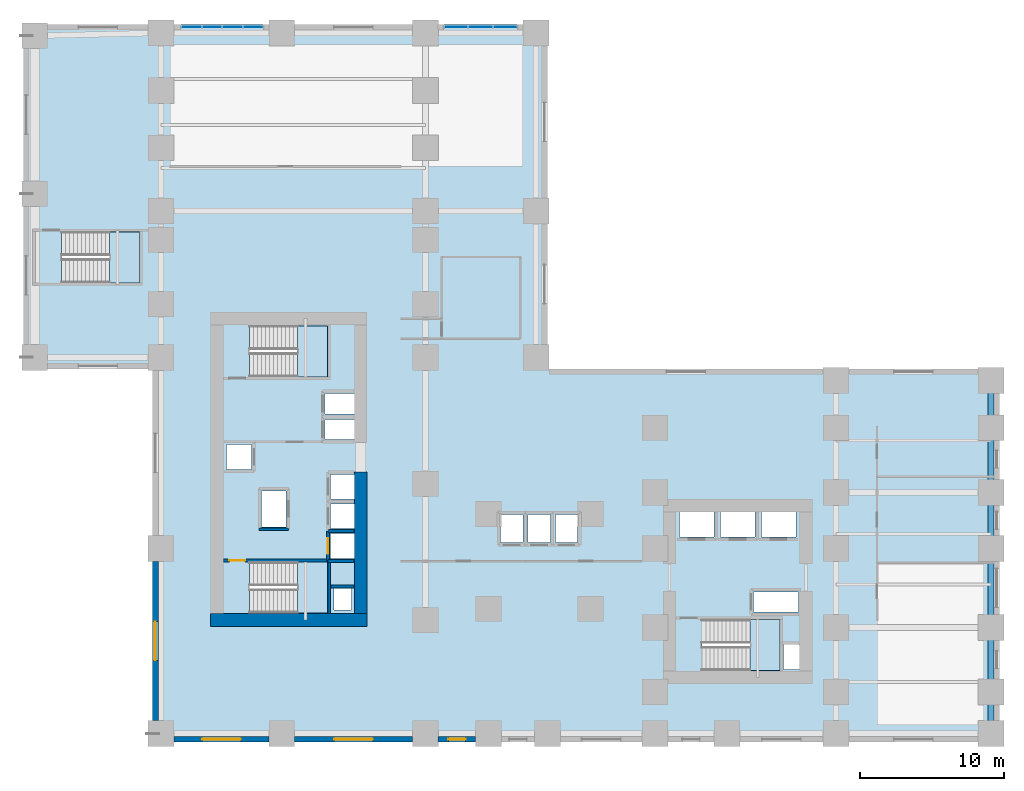
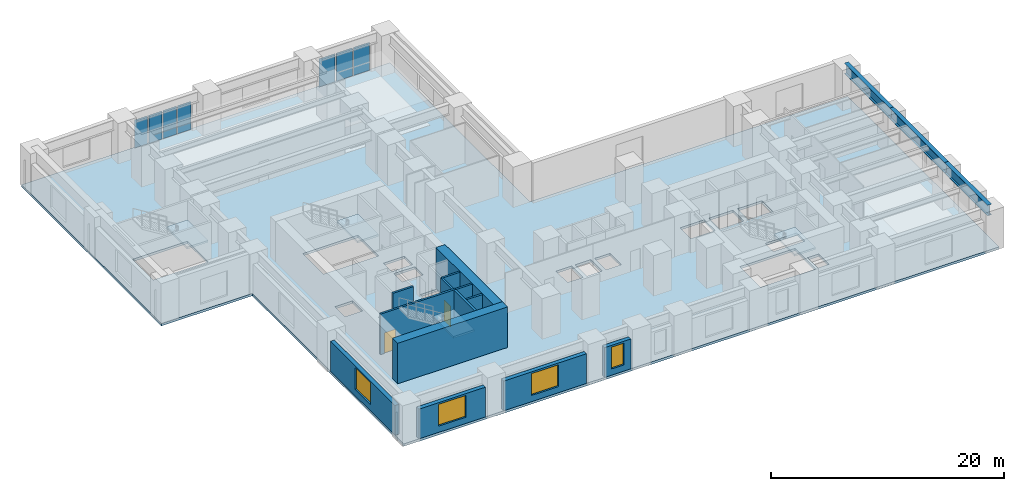
# One storey, part 4 of 11: 13 walls, 7 plates, 5 slabs, 4 windows, 3 beams, 2 doors, 6 openings, 6 elements without a shape of their own.
"""IFC4 building model written with IfcOpenShell, lengths in metres."""

from ifc_helpers import new_model, si_unit, direction, frame, frame_2d, origin, origin_2d, place, context, subcontext, project, spatial, polyline, rectangle, i_section, outline, extrude, source, transform, mapped, material, layer, layer_set, material_profile, profile_set, type_object, element, fill, aggregate, save


model = new_model("IFC4")

# Units and contexts
model_context = context("Model", 3, precision=1e-05, world=origin(), true_north=direction((0.0, 1.0)))
body_context = subcontext(model_context, "Body", "Model", "MODEL_VIEW")
ifc_project = project(units=[si_unit("LENGTHUNIT", "METRE"), si_unit("AREAUNIT", "SQUARE_METRE"), si_unit("VOLUMEUNIT", "CUBIC_METRE"), si_unit("PLANEANGLEUNIT", "RADIAN"), si_unit("MASSUNIT", "GRAM", prefix="KILO")], contexts=[model_context])

# Site, building, storey
site_placement = place(None, origin())
site = spatial("IfcSite", under=ifc_project, at=site_placement, CompositionType="ELEMENT")
building_placement = place(site_placement, origin())
building = spatial("IfcBuilding", under=site, at=building_placement, Name="Kharzan Plaza Tower", CompositionType="ELEMENT")
storey_placement = place(building_placement, frame((0.0, 0.0, 9.0)))
storey = spatial("IfcBuildingStorey", under=building, at=storey_placement, Name="L02", CompositionType="ELEMENT", Elevation=9.0)

# Beams
ifc_material_1 = material(Name="Steel S355", Category="steel")
ifc_material_profile = material_profile(ifc_material_1, i_section(OverallWidth=0.405029296875, OverallDepth=1.117919921875, WebThickness=0.02587890625, FlangeThickness=0.044921875, at=origin_2d()), Name="W1100x499")
ifc_profile_set = profile_set([ifc_material_profile], Name="Steel S355")
beam_type = type_object("IfcBeamType", Name="BM-PG1100A", PredefinedType="BEAM", material=ifc_profile_set)
shared_shape_1 = source(origin(), body_context, "Body", "SweptSolid", [
    extrude(i_section(OverallWidth=0.405029296875, OverallDepth=1.117919921875, WebThickness=0.02587890625, FlangeThickness=0.044921875, at=origin_2d()), origin(), (0.0, 0.0, 1.0), 7.39990234375),
])
beam_1_placement = place(storey_placement, frame((58.39990234375, 0.60009765625, 3.69091796875), z_axis=(0.0, 1.0, 0.0), x_axis=(-1.0, 0.0, 0.0)))
element("IfcBeam", 1, at=beam_1_placement, inside=storey, type_object=beam_type, Name="L02 Podium Primary Girder PG-25", PredefinedType="BEAM", context=body_context, shape_type="MappedRepresentation", body=[
    mapped(shared_shape_1, transform((0.0, 0.0, 0.0), x_axis=(1.0, 0.0, 0.0), y_axis=(0.0, 1.0, 0.0), z_axis=(0.0, 0.0, 1.0))),
])
shared_shape_2 = source(origin(), body_context, "Body", "SweptSolid", [
    extrude(i_section(OverallWidth=0.405029296875, OverallDepth=1.117919921875, WebThickness=0.02587890625, FlangeThickness=0.044921875, at=origin_2d()), origin(), (0.0, 0.0, 1.0), 9.39990234375),
])
beam_2_placement = place(storey_placement, frame((58.39990234375, 8.0, 3.69091796875), z_axis=(0.0, 1.0, 0.0), x_axis=(-1.0, 0.0, 0.0)))
element("IfcBeam", 2, at=beam_2_placement, inside=storey, type_object=beam_type, Name="L02 Podium Primary Girder PG-26", PredefinedType="BEAM", context=body_context, shape_type="MappedRepresentation", body=[
    mapped(shared_shape_2, transform((0.0, 0.0, 0.0), x_axis=(1.0, 0.0, 0.0), y_axis=(0.0, 1.0, 0.0), z_axis=(0.0, 0.0, 1.0))),
])
shared_shape_3 = source(origin(), body_context, "Body", "SweptSolid", [
    extrude(i_section(OverallWidth=0.405029296875, OverallDepth=1.117919921875, WebThickness=0.02587890625, FlangeThickness=0.044921875, at=origin_2d()), origin(), (0.0, 0.0, 1.0), 7.800048828125),
])
beam_3_placement = place(storey_placement, frame((58.39990234375, 17.39990234375, 3.69091796875), z_axis=(0.0, 1.0, 0.0), x_axis=(-1.0, 0.0, 0.0)))
element("IfcBeam", 3, at=beam_3_placement, inside=storey, type_object=beam_type, Name="L02 Podium Primary Girder PG-27", PredefinedType="BEAM", context=body_context, shape_type="MappedRepresentation", body=[
    mapped(shared_shape_3, transform((0.0, 0.0, 0.0), x_axis=(1.0, 0.0, 0.0), y_axis=(0.0, 1.0, 0.0), z_axis=(0.0, 0.0, 1.0))),
])

# Slab
ifc_material_2 = material(Name="Concrete C40/50", Category="concrete")
ifc_layer_1 = layer(ifc_material_2, 0.25)
ifc_layer_set_1 = layer_set([ifc_layer_1], Name="Concrete C40/50")
slab_type_1 = type_object("IfcSlabType", Name="SL-FLOOR-250", PredefinedType="FLOOR", material=ifc_layer_set_1)
slab_1_placement = place(storey_placement, frame((0.0, 0.0, -0.25)))
element("IfcSlab", 4, at=slab_1_placement, inside=storey, type_object=slab_type_1, Name="L02 Composite Structural Floor Slab 250 mm", PredefinedType="FLOOR", context=body_context, shape_type="SweptSolid", body=[
    extrude(outline(polyline([(59.0, 0.0), (59.0, 26.0), (27.5, 26.0), (27.5, 50.0), (-9.0, 50.0), (-9.0, 26.0), (0.0, 26.0), (0.0, 0.0), (59.0, 0.0)]), holes=[polyline([(12.199951171875, 9.0), (12.199951171875, 12.550048828125), (6.75, 12.550048828125), (6.75, 9.0), (12.199951171875, 9.0)]), polyline([(14.10009765625, 12.800048828125), (14.10009765625, 14.530029296875), (12.39990234375, 14.530029296875), (12.39990234375, 12.800048828125), (14.10009765625, 12.800048828125)]), polyline([(14.10009765625, 14.8701171875), (14.10009765625, 16.60009765625), (12.39990234375, 16.60009765625), (12.39990234375, 14.8701171875), (14.10009765625, 14.8701171875)]), polyline([(7.60009765625, 15.0), (9.300048828125, 15.0), (9.300048828125, 17.5), (7.60009765625, 17.5), (7.60009765625, 15.0)]), polyline([(12.39990234375, 16.93994140625), (14.10009765625, 16.93994140625), (14.10009765625, 18.64990234375), (12.39990234375, 18.64990234375), (12.39990234375, 16.93994140625)]), polyline([(6.89990234375, 19.010009765625), (6.89990234375, 20.72998046875), (5.14990234375, 20.72998046875), (5.14990234375, 19.010009765625), (6.89990234375, 19.010009765625)]), polyline([(14.10009765625, 21.070068359375), (14.10009765625, 22.489990234375), (12.0, 22.489990234375), (12.0, 21.070068359375), (14.10009765625, 21.070068359375)]), polyline([(14.10009765625, 22.8701171875), (14.10009765625, 24.2900390625), (12.0, 24.2900390625), (12.0, 22.8701171875), (14.10009765625, 22.8701171875)]), polyline([(6.75, 25.449951171875), (12.199951171875, 25.449951171875), (12.199951171875, 29.0), (6.75, 29.0), (6.75, 25.449951171875)]), polyline([(-6.35009765625, 32.0), (-0.89990234375, 32.0), (-0.89990234375, 35.550048828125), (-6.35009765625, 35.550048828125), (-6.35009765625, 32.0)]), polyline([(45.050048828125, 5.050048828125), (45.050048828125, 6.800048828125), (43.949951171875, 6.800048828125), (43.949951171875, 5.050048828125), (45.050048828125, 5.050048828125)]), polyline([(43.699951171875, 5.0), (43.699951171875, 8.550048828125), (38.25, 8.550048828125), (38.25, 5.0), (43.699951171875, 5.0)]), polyline([(45.0, 9.070068359375), (45.0, 10.469970703125), (41.85009765625, 10.469970703125), (41.85009765625, 9.070068359375), (45.0, 9.070068359375)]), polyline([(12.64990234375, 9.199951171875), (13.85009765625, 9.199951171875), (13.85009765625, 10.699951171875), (12.64990234375, 10.699951171875), (12.64990234375, 9.199951171875)]), polyline([(24.25, 13.89990234375), (25.800048828125, 13.89990234375), (25.800048828125, 15.85009765625), (24.25, 15.85009765625), (24.25, 13.89990234375)]), polyline([(27.699951171875, 13.89990234375), (27.699951171875, 15.85009765625), (26.14990234375, 15.85009765625), (26.14990234375, 13.89990234375), (27.699951171875, 13.89990234375)]), polyline([(29.60009765625, 13.89990234375), (29.60009765625, 15.85009765625), (28.050048828125, 15.85009765625), (28.050048828125, 13.89990234375), (29.60009765625, 13.89990234375)]), polyline([(39.10009765625, 14.300048828125), (39.10009765625, 16.14990234375), (36.699951171875, 16.14990234375), (36.699951171875, 14.300048828125), (39.10009765625, 14.300048828125)]), polyline([(39.550048828125, 14.300048828125), (41.949951171875, 14.300048828125), (41.949951171875, 16.14990234375), (39.550048828125, 16.14990234375), (39.550048828125, 14.300048828125)]), polyline([(42.39990234375, 14.300048828125), (44.800048828125, 14.300048828125), (44.800048828125, 16.14990234375), (42.39990234375, 16.14990234375), (42.39990234375, 14.300048828125)])]), origin(), (0.0, 0.0, 1.0), 0.25),
])

# Stair, slab
stair_type_1 = type_object("IfcStairType", Name="STR-ST-1", PredefinedType="HALF_TURN_STAIR", material=ifc_material_2)
stair_1_placement = place(storey_placement, origin())
stair_1 = element("IfcStair", 5, at=stair_1_placement, inside=storey, type_object=stair_type_1, Name="L02 Protected Exit Stair ST-1", PredefinedType="HALF_TURN_STAIR")
ifc_layer_2 = layer(ifc_material_2, 0.219970703125)
ifc_layer_set_2 = layer_set([ifc_layer_2], Name="Concrete C40/50")
slab_type_2 = type_object("IfcSlabType", Name="SL-LANDING-220", PredefinedType="LANDING", material=ifc_layer_set_2)
slab_2_placement = place(storey_placement, frame((0.0, 0.0, 2.050048828125)))
slab_2 = element("IfcSlab", 6, at=slab_2_placement, type_object=slab_type_2, Name="ST-1 landing 1", PredefinedType="LANDING", context=body_context, shape_type="SweptSolid", body=[
    extrude(outline(polyline([(10.110107421875, 9.0), (12.199951171875, 9.0), (12.199951171875, 12.550048828125), (10.110107421875, 12.550048828125), (10.110107421875, 9.0)])), origin(), (0.0, 0.0, 1.0), 0.199951171875),
])
aggregate(stair_1, [slab_2])

stair_type_2 = type_object("IfcStairType", Name="STR-ST-2", PredefinedType="HALF_TURN_STAIR", material=ifc_material_2)
stair_2_placement = place(storey_placement, origin())
stair_2 = element("IfcStair", 7, at=stair_2_placement, inside=storey, type_object=stair_type_2, Name="L02 Protected Exit Stair ST-2", PredefinedType="HALF_TURN_STAIR")
slab_3_placement = place(storey_placement, frame((0.0, 0.0, 2.050048828125)))
slab_3 = element("IfcSlab", 8, at=slab_3_placement, type_object=slab_type_2, Name="ST-2 landing 1", PredefinedType="LANDING", context=body_context, shape_type="SweptSolid", body=[
    extrude(outline(polyline([(10.110107421875, 25.449951171875), (12.199951171875, 25.449951171875), (12.199951171875, 29.0), (10.110107421875, 29.0), (10.110107421875, 25.449951171875)])), origin(), (0.0, 0.0, 1.0), 0.199951171875),
])
aggregate(stair_2, [slab_3])

stair_type_3 = type_object("IfcStairType", Name="STR-ST-3", PredefinedType="HALF_TURN_STAIR", material=ifc_material_2)
stair_3_placement = place(storey_placement, origin())
stair_3 = element("IfcStair", 9, at=stair_3_placement, inside=storey, type_object=stair_type_3, Name="L02 Protected Exit Stair ST-3", PredefinedType="HALF_TURN_STAIR")
slab_4_placement = place(storey_placement, frame((0.0, 0.0, 2.050048828125)))
slab_4 = element("IfcSlab", 10, at=slab_4_placement, type_object=slab_type_2, Name="ST-3 landing 1", PredefinedType="LANDING", context=body_context, shape_type="SweptSolid", body=[
    extrude(outline(polyline([(41.610107421875, 5.0), (43.699951171875, 5.0), (43.699951171875, 8.550048828125), (41.610107421875, 8.550048828125), (41.610107421875, 5.0)])), origin(), (0.0, 0.0, 1.0), 0.199951171875),
])
aggregate(stair_3, [slab_4])

stair_type_4 = type_object("IfcStairType", Name="STR-ST-4", PredefinedType="HALF_TURN_STAIR", material=ifc_material_2)
stair_4_placement = place(storey_placement, origin())
stair_4 = element("IfcStair", 11, at=stair_4_placement, inside=storey, type_object=stair_type_4, Name="L02 Podium Exit Stair ST-4", PredefinedType="HALF_TURN_STAIR")
slab_5_placement = place(storey_placement, frame((0.0, 0.0, 2.050048828125)))
slab_5 = element("IfcSlab", 12, at=slab_5_placement, type_object=slab_type_2, Name="ST-4 landing 1", PredefinedType="LANDING", context=body_context, shape_type="SweptSolid", body=[
    extrude(outline(polyline([(-2.989990234375, 32.0), (-0.89990234375, 32.0), (-0.89990234375, 35.550048828125), (-2.989990234375, 35.550048828125), (-2.989990234375, 32.0)])), origin(), (0.0, 0.0, 1.0), 0.199951171875),
])
aggregate(stair_4, [slab_5])

# Curtain wall, plates
ifc_material_3 = material(Name="Unitised Bronze-Anodized Aluminium and Low-E Glass", Category="aluminium")
ifc_layer_3 = layer(ifc_material_3, 0.199951171875)
ifc_layer_set_3 = layer_set([ifc_layer_3], Name="Unitised Bronze-Anodized Aluminium and Low-E Glass")
curtain_wall_type = type_object("IfcCurtainWallType", Name="CW-PODIUM-1", PredefinedType="NOTDEFINED", material=ifc_layer_set_3)
curtain_wall_1_placement = place(storey_placement, origin())
curtain_wall_1 = element("IfcCurtainWall", 13, at=curtain_wall_1_placement, inside=storey, type_object=curtain_wall_type, Name="L02 Podium North Gallery Curtain Wall", PredefinedType="NOTDEFINED")
ifc_material_4 = material(Name="Dark Solar-Control Double Glazing", Category="glass")
ifc_layer_4 = layer(ifc_material_4, 0.031982421875)
ifc_layer_set_4 = layer_set([ifc_layer_4], Name="Dark Solar-Control Double Glazing")
plate_type = type_object("IfcPlateType", Name="PLT-CW-GLASS", PredefinedType="CURTAIN_PANEL", material=ifc_layer_set_4)
shared_shape_4 = source(origin(), body_context, "Body", "SweptSolid", [
    extrude(rectangle(XDim=1.580078125, YDim=0.031982421875, at=origin_2d()), origin(), (0.0, 0.0, 1.0), 2.93994140625),
])
plate_1_placement = place(storey_placement, frame((21.14990234375, 49.800048828125, 0.080078125), z_axis=(0.0, 0.0, 1.0), x_axis=(1.0, 0.0, 0.0)))
plate_1 = element("IfcPlate", 14, at=plate_1_placement, type_object=plate_type, Name="L02 Curtain-Wall Glazed Panel 00", PredefinedType="CURTAIN_PANEL", context=body_context, shape_type="MappedRepresentation", body=[
    mapped(shared_shape_4, transform((0.0, 0.0, 0.0), x_axis=(1.0, 0.0, 0.0), y_axis=(0.0, 1.0, 0.0), z_axis=(0.0, 0.0, 1.0))),
])
plate_2_placement = place(storey_placement, frame((22.85009765625, 49.800048828125, 0.080078125), z_axis=(0.0, 0.0, 1.0), x_axis=(1.0, 0.0, 0.0)))
plate_2 = element("IfcPlate", 15, at=plate_2_placement, type_object=plate_type, Name="L02 Curtain-Wall Glazed Panel 01", PredefinedType="CURTAIN_PANEL", context=body_context, shape_type="MappedRepresentation", body=[
    mapped(shared_shape_4, transform((0.0, 0.0, 0.0), x_axis=(1.0, 0.0, 0.0), y_axis=(0.0, 1.0, 0.0), z_axis=(0.0, 0.0, 1.0))),
])
plate_3_placement = place(storey_placement, frame((24.550048828125, 49.800048828125, 0.080078125), z_axis=(0.0, 0.0, 1.0), x_axis=(1.0, 0.0, 0.0)))
plate_3 = element("IfcPlate", 16, at=plate_3_placement, type_object=plate_type, Name="L02 Curtain-Wall Glazed Panel 02", PredefinedType="CURTAIN_PANEL", context=body_context, shape_type="MappedRepresentation", body=[
    mapped(shared_shape_4, transform((0.0, 0.0, 0.0), x_axis=(1.0, 0.0, 0.0), y_axis=(0.0, 1.0, 0.0), z_axis=(0.0, 0.0, 1.0))),
])
aggregate(curtain_wall_1, [plate_1, plate_2, plate_3])

curtain_wall_2_placement = place(storey_placement, origin())
curtain_wall_2 = element("IfcCurtainWall", 17, at=curtain_wall_2_placement, inside=storey, type_object=curtain_wall_type, Name="L02 Podium West Gallery Curtain Wall", PredefinedType="NOTDEFINED")
shared_shape_5 = source(origin(), body_context, "Body", "SweptSolid", [
    extrude(rectangle(XDim=1.304931640625, YDim=0.031982421875, at=origin_2d()), origin(), (0.0, 0.0, 1.0), 2.93994140625),
])
plate_4_placement = place(storey_placement, frame((2.71240234375, 49.800048828125, 0.080078125), z_axis=(0.0, 0.0, 1.0), x_axis=(1.0, 0.0, 0.0)))
plate_4 = element("IfcPlate", 18, at=plate_4_placement, type_object=plate_type, Name="L02 Curtain-Wall Glazed Panel 00", PredefinedType="CURTAIN_PANEL", context=body_context, shape_type="MappedRepresentation", body=[
    mapped(shared_shape_5, transform((0.0, 0.0, 0.0), x_axis=(1.0, 0.0, 0.0), y_axis=(0.0, 1.0, 0.0), z_axis=(0.0, 0.0, 1.0))),
])
plate_5_placement = place(storey_placement, frame((4.137451171875, 49.800048828125, 0.080078125), z_axis=(0.0, 0.0, 1.0), x_axis=(1.0, 0.0, 0.0)))
plate_5 = element("IfcPlate", 19, at=plate_5_placement, type_object=plate_type, Name="L02 Curtain-Wall Glazed Panel 01", PredefinedType="CURTAIN_PANEL", context=body_context, shape_type="MappedRepresentation", body=[
    mapped(shared_shape_5, transform((0.0, 0.0, 0.0), x_axis=(1.0, 0.0, 0.0), y_axis=(0.0, 1.0, 0.0), z_axis=(0.0, 0.0, 1.0))),
])
plate_6_placement = place(storey_placement, frame((5.5625, 49.800048828125, 0.080078125), z_axis=(0.0, 0.0, 1.0), x_axis=(1.0, 0.0, 0.0)))
plate_6 = element("IfcPlate", 20, at=plate_6_placement, type_object=plate_type, Name="L02 Curtain-Wall Glazed Panel 02", PredefinedType="CURTAIN_PANEL", context=body_context, shape_type="MappedRepresentation", body=[
    mapped(shared_shape_5, transform((0.0, 0.0, 0.0), x_axis=(1.0, 0.0, 0.0), y_axis=(0.0, 1.0, 0.0), z_axis=(0.0, 0.0, 1.0))),
])
plate_7_placement = place(storey_placement, frame((6.987548828125, 49.800048828125, 0.080078125), z_axis=(0.0, 0.0, 1.0), x_axis=(1.0, 0.0, 0.0)))
plate_7 = element("IfcPlate", 21, at=plate_7_placement, type_object=plate_type, Name="L02 Curtain-Wall Glazed Panel 03", PredefinedType="CURTAIN_PANEL", context=body_context, shape_type="MappedRepresentation", body=[
    mapped(shared_shape_5, transform((0.0, 0.0, 0.0), x_axis=(1.0, 0.0, 0.0), y_axis=(0.0, 1.0, 0.0), z_axis=(0.0, 0.0, 1.0))),
])
aggregate(curtain_wall_2, [plate_4, plate_5, plate_6, plate_7])

# Wall, opening, door
ifc_layer_5 = layer(ifc_material_2, 0.199951171875)
ifc_layer_set_5 = layer_set([ifc_layer_5], Name="Concrete C40/50")
wall_type_1 = type_object("IfcWallType", Name="WL-INT-SHAFT-200", PredefinedType="PARTITIONING", material=ifc_layer_set_5)
wall_1_placement = place(storey_placement, frame((12.22998046875, 12.6298828125, 0.0), z_axis=(0.0, 0.0, 1.0), x_axis=(0.0, 1.0, 0.0)))
wall_1 = element("IfcWall", 22, at=wall_1_placement, inside=storey, type_object=wall_type_1, Name="L02 Interior Partition SHF-PL-H1-W", PredefinedType="PARTITIONING", context=body_context, shape_type="SweptSolid", body=[
    extrude(rectangle(XDim=2.070068359375, YDim=0.199951171875, at=frame_2d((1.03515625, 0.0))), origin(), (0.0, 0.0, 1.0), 4.235107421875),
])
opening_1_placement = place(wall_1_placement, frame((0.485107421875, 0.0, 0.0)))
opening_1 = element("IfcOpeningElement", 23, at=opening_1_placement, cuts=wall_1, Name="Opening LD", PredefinedType="OPENING", context=body_context, shape_type="SweptSolid", body=[
    extrude(rectangle(XDim=1.10009765625, YDim=2.199951171875, at=frame_2d((0.550048828125, 1.10009765625))), frame((0.0, 0.10986328125, 0.0), z_axis=(0.0, -1.0, 0.0), x_axis=(1.0, 0.0, 0.0)), (0.0, 0.0, 1.0), 0.219970703125),
])
ifc_material_5 = material(Name="Brushed Stainless Steel", Category="steel")
door_type_1 = type_object("IfcDoorType", Name="DR-LIFT-SLIDE", OperationType="SLIDING_TO_LEFT", PredefinedType="DOOR", material=ifc_material_5)
shared_shape_6 = source(origin(), body_context, "Body", "SweptSolid", [
    extrude(rectangle(XDim=1.10009765625, YDim=2.199951171875, at=frame_2d((0.550048828125, 1.10009765625))), frame((0.0, 0.02490234375, 0.0), z_axis=(0.0, -1.0, 0.0), x_axis=(1.0, 0.0, 0.0)), (0.0, 0.0, 1.0), 0.050048828125),
])
door_1_placement = place(opening_1_placement, origin())
door_1 = element("IfcDoor", 24, at=door_1_placement, inside=storey, type_object=door_type_1, Name="L02 High-Rise Passenger Lift PL-H1 Sliding Landing Door", OperationType="SLIDING_TO_LEFT", OverallHeight=2.199951171875, OverallWidth=1.10009765625, PredefinedType="DOOR", context=body_context, shape_type="MappedRepresentation", body=[
    mapped(shared_shape_6, transform((0.0, 0.0, 0.0), x_axis=(1.0, 0.0, 0.0), y_axis=(0.0, 1.0, 0.0), z_axis=(0.0, 0.0, 1.0))),
])
fill(opening_1, door_1)

# Wall, opening, window
ifc_layer_6 = layer(ifc_material_2, 0.39990234375)
ifc_layer_set_6 = layer_set([ifc_layer_6], Name="Concrete C40/50")
wall_type_2 = type_object("IfcWallType", Name="WL-POD-MAS-400", PredefinedType="SOLIDWALL", material=ifc_layer_set_6)
wall_2_placement = place(storey_placement, frame((0.199951171875, 12.60205078125, 0.0), z_axis=(0.0, 0.0, 1.0), x_axis=(0.0, -1.0, 0.0)))
wall_2 = element("IfcWall", 25, at=wall_2_placement, inside=storey, type_object=wall_type_2, Name="L02 Masonry-Frame Exterior Wall 15", PredefinedType="SOLIDWALL", context=body_context, shape_type="SweptSolid", body=[
    extrude(rectangle(XDim=11.10400390625, YDim=0.39990234375, at=frame_2d((5.552001953125, 0.0))), origin(), (0.0, 0.0, 1.0), 3.116943359375),
])
opening_2_placement = place(wall_2_placement, frame((4.201904296875, 0.0, 0.64990234375)))
opening_2 = element("IfcOpeningElement", 26, at=opening_2_placement, cuts=wall_2, Name="Opening W4", PredefinedType="OPENING", context=body_context, shape_type="SweptSolid", body=[
    extrude(rectangle(XDim=2.699951171875, YDim=2.287109375, at=frame_2d((1.35009765625, 1.1435546875))), frame((0.0, 0.2099609375, 0.0), z_axis=(0.0, -1.0, 0.0), x_axis=(1.0, 0.0, 0.0)), (0.0, 0.0, 1.0), 0.419921875),
])
ifc_material_6 = material(Name="Low-E Double Glazing", Category="glass")
window_type_1 = type_object("IfcWindowType", Name="WN-POD-2700x2600", PartitioningType="SINGLE_PANEL", PredefinedType="WINDOW", material=ifc_material_6)
shared_shape_7 = source(origin(), body_context, "Body", "SweptSolid", [
    extrude(rectangle(XDim=2.699951171875, YDim=2.287109375, at=frame_2d((1.35009765625, 1.1435546875))), frame((0.0, 0.030029296875, 0.0), z_axis=(0.0, -1.0, 0.0), x_axis=(1.0, 0.0, 0.0)), (0.0, 0.0, 1.0), 0.06005859375),
])
window_1_placement = place(opening_2_placement, origin())
window_1 = element("IfcWindow", 27, at=window_1_placement, inside=storey, type_object=window_type_1, Name="L02 Recessed Solar-Control Window 15-1", OverallHeight=2.287109375, OverallWidth=2.699951171875, PartitioningType="SINGLE_PANEL", PredefinedType="WINDOW", context=body_context, shape_type="MappedRepresentation", body=[
    mapped(shared_shape_7, transform((0.0, 0.0, 0.0), x_axis=(1.0, 0.0, 0.0), y_axis=(0.0, 1.0, 0.0), z_axis=(0.0, 0.0, 1.0))),
])
fill(opening_2, window_1)

wall_3_placement = place(storey_placement, frame((1.498046875, 0.199951171875, 0.0), z_axis=(0.0, 0.0, 1.0), x_axis=(1.0, 0.0, 0.0)))
wall_3 = element("IfcWall", 28, at=wall_3_placement, inside=storey, type_object=wall_type_2, Name="L02 Masonry-Frame Exterior Wall 16", PredefinedType="SOLIDWALL", context=body_context, shape_type="SweptSolid", body=[
    extrude(rectangle(XDim=6.60400390625, YDim=0.39990234375, at=frame_2d((3.302001953125, 0.0))), origin(), (0.0, 0.0, 1.0), 3.116943359375),
])
opening_3_placement = place(wall_3_placement, frame((1.951904296875, 0.0, 0.64990234375)))
opening_3 = element("IfcOpeningElement", 29, at=opening_3_placement, cuts=wall_3, Name="Opening W4", PredefinedType="OPENING", context=body_context, shape_type="SweptSolid", body=[
    extrude(rectangle(XDim=2.699951171875, YDim=2.287109375, at=frame_2d((1.35009765625, 1.1435546875))), frame((0.0, 0.2099609375, 0.0), z_axis=(0.0, -1.0, 0.0), x_axis=(1.0, 0.0, 0.0)), (0.0, 0.0, 1.0), 0.419921875),
])
window_2_placement = place(opening_3_placement, origin())
window_2 = element("IfcWindow", 30, at=window_2_placement, inside=storey, type_object=window_type_1, Name="L02 Recessed Solar-Control Window 16-1", OverallHeight=2.287109375, OverallWidth=2.699951171875, PartitioningType="SINGLE_PANEL", PredefinedType="WINDOW", context=body_context, shape_type="MappedRepresentation", body=[
    mapped(shared_shape_7, transform((0.0, 0.0, 0.0), x_axis=(1.0, 0.0, 0.0), y_axis=(0.0, 1.0, 0.0), z_axis=(0.0, 0.0, 1.0))),
])
fill(opening_3, window_2)

wall_4_placement = place(storey_placement, frame((9.89794921875, 0.199951171875, 0.0), z_axis=(0.0, 0.0, 1.0), x_axis=(1.0, 0.0, 0.0)))
wall_4 = element("IfcWall", 31, at=wall_4_placement, inside=storey, type_object=wall_type_2, Name="L02 Masonry-Frame Exterior Wall 17", PredefinedType="SOLIDWALL", context=body_context, shape_type="SweptSolid", body=[
    extrude(rectangle(XDim=8.2041015625, YDim=0.39990234375, at=frame_2d((4.10205078125, 0.0))), origin(), (0.0, 0.0, 1.0), 3.116943359375),
])
opening_4_placement = place(wall_4_placement, frame((2.751953125, 0.0, 0.64990234375)))
opening_4 = element("IfcOpeningElement", 32, at=opening_4_placement, cuts=wall_4, Name="Opening W4", PredefinedType="OPENING", context=body_context, shape_type="SweptSolid", body=[
    extrude(rectangle(XDim=2.699951171875, YDim=2.287109375, at=frame_2d((1.35009765625, 1.1435546875))), frame((0.0, 0.2099609375, 0.0), z_axis=(0.0, -1.0, 0.0), x_axis=(1.0, 0.0, 0.0)), (0.0, 0.0, 1.0), 0.419921875),
])
window_3_placement = place(opening_4_placement, origin())
window_3 = element("IfcWindow", 33, at=window_3_placement, inside=storey, type_object=window_type_1, Name="L02 Recessed Solar-Control Window 17-1", OverallHeight=2.287109375, OverallWidth=2.699951171875, PartitioningType="SINGLE_PANEL", PredefinedType="WINDOW", context=body_context, shape_type="MappedRepresentation", body=[
    mapped(shared_shape_7, transform((0.0, 0.0, 0.0), x_axis=(1.0, 0.0, 0.0), y_axis=(0.0, 1.0, 0.0), z_axis=(0.0, 0.0, 1.0))),
])
fill(opening_4, window_3)

wall_5_placement = place(storey_placement, frame((19.89794921875, 0.199951171875, 0.0), z_axis=(0.0, 0.0, 1.0), x_axis=(1.0, 0.0, 0.0)))
wall_5 = element("IfcWall", 34, at=wall_5_placement, inside=storey, type_object=wall_type_2, Name="L02 Masonry-Frame Exterior Wall 18", PredefinedType="SOLIDWALL", context=body_context, shape_type="SweptSolid", body=[
    extrude(rectangle(XDim=2.60400390625, YDim=0.39990234375, at=frame_2d((1.302001953125, 0.0))), origin(), (0.0, 0.0, 1.0), 3.116943359375),
])
opening_5_placement = place(wall_5_placement, frame((0.701904296875, 0.0, 0.64990234375)))
opening_5 = element("IfcOpeningElement", 35, at=opening_5_placement, cuts=wall_5, Name="Opening W3", PredefinedType="OPENING", context=body_context, shape_type="SweptSolid", body=[
    extrude(rectangle(XDim=1.199951171875, YDim=2.287109375, at=frame_2d((0.60009765625, 1.1435546875))), frame((0.0, 0.2099609375, 0.0), z_axis=(0.0, -1.0, 0.0), x_axis=(1.0, 0.0, 0.0)), (0.0, 0.0, 1.0), 0.419921875),
])
window_type_2 = type_object("IfcWindowType", Name="WN-REC-1200x2100", PartitioningType="SINGLE_PANEL", PredefinedType="WINDOW", material=ifc_material_6)
shared_shape_8 = source(origin(), body_context, "Body", "SweptSolid", [
    extrude(rectangle(XDim=1.199951171875, YDim=2.287109375, at=frame_2d((0.60009765625, 1.1435546875))), frame((0.0, 0.030029296875, 0.0), z_axis=(0.0, -1.0, 0.0), x_axis=(1.0, 0.0, 0.0)), (0.0, 0.0, 1.0), 0.06005859375),
])
window_4_placement = place(opening_5_placement, origin())
window_4 = element("IfcWindow", 36, at=window_4_placement, inside=storey, type_object=window_type_2, Name="L02 Recessed Solar-Control Window 18-1", OverallHeight=2.287109375, OverallWidth=1.199951171875, PartitioningType="SINGLE_PANEL", PredefinedType="WINDOW", context=body_context, shape_type="MappedRepresentation", body=[
    mapped(shared_shape_8, transform((0.0, 0.0, 0.0), x_axis=(1.0, 0.0, 0.0), y_axis=(0.0, 1.0, 0.0), z_axis=(0.0, 0.0, 1.0))),
])
fill(opening_5, window_4)

# Wall, opening, door
ifc_material_7 = material(Name="Concrete C50/60", Category="concrete")
ifc_layer_7 = layer(ifc_material_7, 0.199951171875)
ifc_layer_set_7 = layer_set([ifc_layer_7], Name="Concrete C50/60")
wall_type_3 = type_object("IfcWallType", Name="WL-SHAFT-RC200", PredefinedType="SHEAR", material=ifc_layer_set_7)
wall_6_placement = place(storey_placement, frame((4.951904296875, 12.655029296875, 0.0), z_axis=(0.0, 0.0, 1.0), x_axis=(1.0, 0.0, 0.0)))
wall_6 = element("IfcWall", 37, at=wall_6_placement, inside=storey, type_object=wall_type_3, Name="L02 Stair ST-1 North RC Shaft Wall", PredefinedType="SHEAR", context=body_context, shape_type="SweptSolid", body=[
    extrude(rectangle(XDim=7.453125, YDim=0.199951171875, at=frame_2d((3.7265625, 0.0))), origin(), (0.0, 0.0, 1.0), 4.25),
])
opening_6_placement = place(wall_6_placement, frame((0.39990234375, 0.0, 0.0)))
opening_6 = element("IfcOpeningElement", 38, at=opening_6_placement, cuts=wall_6, Name="Opening SD1", PredefinedType="OPENING", context=body_context, shape_type="SweptSolid", body=[
    extrude(rectangle(XDim=1.10009765625, YDim=2.14990234375, at=frame_2d((0.550048828125, 1.074951171875))), frame((0.0, 0.10986328125, 0.0), z_axis=(0.0, -1.0, 0.0), x_axis=(1.0, 0.0, 0.0)), (0.0, 0.0, 1.0), 0.219970703125),
])
ifc_material_8 = material(Name="Fire-Rated Hollow Galvanized Steel", Category="steel")
door_type_2 = type_object("IfcDoorType", Name="DR-STAIR-FD120", OperationType="NOTDEFINED", PredefinedType="DOOR", material=ifc_material_8)
shared_shape_9 = source(origin(), body_context, "Body", "SweptSolid", [
    extrude(rectangle(XDim=1.10009765625, YDim=2.14990234375, at=frame_2d((0.550048828125, 1.074951171875))), frame((0.0, 0.02490234375, 0.0), z_axis=(0.0, -1.0, 0.0), x_axis=(1.0, 0.0, 0.0)), (0.0, 0.0, 1.0), 0.050048828125),
])
door_2_placement = place(opening_6_placement, origin())
door_2 = element("IfcDoor", 39, at=door_2_placement, inside=storey, type_object=door_type_2, Name="L02 Stair ST-1 Fire Exit Door", OperationType="SINGLE_SWING_RIGHT", OverallHeight=2.14990234375, OverallWidth=1.10009765625, PredefinedType="DOOR", context=body_context, shape_type="MappedRepresentation", body=[
    mapped(shared_shape_9, transform((0.0, 0.0, 0.0), x_axis=(1.0, 0.0, 0.0), y_axis=(0.0, 1.0, 0.0), z_axis=(0.0, 0.0, 1.0))),
])
fill(opening_6, door_2)

# Walls
ifc_material_9 = material(Name="Concrete C60/75", Category="concrete")
ifc_layer_8 = layer(ifc_material_9, 0.89990234375)
ifc_layer_set_8 = layer_set([ifc_layer_8], Name="Concrete C60/75")
wall_type_4 = type_object("IfcWallType", Name="WL-CORE-900", PredefinedType="SHEAR", material=ifc_layer_set_8)
shared_shape_10 = source(origin(), body_context, "Body", "SweptSolid", [
    extrude(rectangle(XDim=9.8701171875, YDim=0.89990234375, at=frame_2d((4.93505859375, 0.0))), origin(), (0.0, 0.0, 1.0), 4.25),
])
wall_7_placement = place(storey_placement, frame((14.5, 8.949951171875, 0.0), z_axis=(0.0, 0.0, 1.0), x_axis=(0.0, 1.0, 0.0)))
element("IfcWall", 40, at=wall_7_placement, inside=storey, type_object=wall_type_4, Name="L02 CORE-A east shear pier 1", PredefinedType="SHEAR", context=body_context, shape_type="MappedRepresentation", body=[
    mapped(shared_shape_10, transform((0.0, 0.0, 0.0), x_axis=(1.0, 0.0, 0.0), y_axis=(0.0, 1.0, 0.0), z_axis=(0.0, 0.0, 1.0))),
])
shared_shape_11 = source(origin(), body_context, "Body", "SweptSolid", [
    extrude(rectangle(XDim=10.89990234375, YDim=0.89990234375, at=frame_2d((5.449951171875, 0.0))), origin(), (0.0, 0.0, 1.0), 4.25),
])
wall_8_placement = place(storey_placement, frame((4.050048828125, 8.5, 0.0), z_axis=(0.0, 0.0, 1.0), x_axis=(1.0, 0.0, 0.0)))
element("IfcWall", 41, at=wall_8_placement, inside=storey, type_object=wall_type_4, Name="L02 CORE-A south RC shear wall", PredefinedType="SHEAR", context=body_context, shape_type="MappedRepresentation", body=[
    mapped(shared_shape_11, transform((0.0, 0.0, 0.0), x_axis=(1.0, 0.0, 0.0), y_axis=(0.0, 1.0, 0.0), z_axis=(0.0, 0.0, 1.0))),
])
shared_shape_12 = source(origin(), body_context, "Body", "SweptSolid", [
    extrude(rectangle(XDim=1.60009765625, YDim=0.199951171875, at=frame_2d((0.800048828125, 0.0))), origin(), (0.0, 0.0, 1.0), 4.235107421875),
])
wall_9_placement = place(storey_placement, frame((12.419921875, 10.85009765625, 0.0), z_axis=(0.0, 0.0, 1.0), x_axis=(1.0, 0.0, 0.0)))
element("IfcWall", 42, at=wall_9_placement, inside=storey, type_object=wall_type_1, Name="L02 Interior Partition CA-RSRA-N", PredefinedType="PARTITIONING", context=body_context, shape_type="MappedRepresentation", body=[
    mapped(shared_shape_12, transform((0.0, 0.0, 0.0), x_axis=(1.0, 0.0, 0.0), y_axis=(0.0, 1.0, 0.0), z_axis=(0.0, 0.0, 1.0))),
])
shared_shape_13 = source(origin(), body_context, "Body", "SweptSolid", [
    extrude(rectangle(XDim=1.7900390625, YDim=0.199951171875, at=frame_2d((0.89501953125, 0.0))), origin(), (0.0, 0.0, 1.0), 4.235107421875),
])
for number, where, z_axis, x_axis, name in (
    (43, (12.22998046875, 14.699951171875, 0.0), (0.0, 0.0, 1.0), (1.0, 0.0, 0.0), "L02 Interior Partition SHF-PL-H1-N"),
    (44, (12.22998046875, 12.6298828125, 0.0), (0.0, 0.0, 1.0), (1.0, 0.0, 0.0), "L02 Interior Partition SHF-PL-H1-S"),
):
    element("IfcWall", number, at=place(storey_placement, frame(where, z_axis=z_axis, x_axis=x_axis)), inside=storey, type_object=wall_type_1, Name=name, PredefinedType="PARTITIONING", context=body_context, shape_type="MappedRepresentation", body=[
        mapped(shared_shape_13, transform((0.0, 0.0, 0.0), x_axis=(1.0, 0.0, 0.0), y_axis=(0.0, 1.0, 0.0), z_axis=(0.0, 0.0, 1.0))),
    ])
shared_shape_14 = source(origin(), body_context, "Body", "SweptSolid", [
    extrude(rectangle(XDim=2.0400390625, YDim=0.199951171875, at=frame_2d((1.02001953125, 0.0))), origin(), (0.0, 0.0, 1.0), 4.235107421875),
])
wall_10_placement = place(storey_placement, frame((7.429931640625, 14.830078125, 0.0), z_axis=(0.0, 0.0, 1.0), x_axis=(1.0, 0.0, 0.0)))
element("IfcWall", 45, at=wall_10_placement, inside=storey, type_object=wall_type_1, Name="L02 Interior Partition SHF-SVL-1-S", PredefinedType="PARTITIONING", context=body_context, shape_type="MappedRepresentation", body=[
    mapped(shared_shape_14, transform((0.0, 0.0, 0.0), x_axis=(1.0, 0.0, 0.0), y_axis=(0.0, 1.0, 0.0), z_axis=(0.0, 0.0, 1.0))),
])
shared_shape_15 = source(origin(), body_context, "Body", "SweptSolid", [
    extrude(rectangle(XDim=3.60302734375, YDim=0.199951171875, at=frame_2d((1.801513671875, 0.0))), origin(), (0.0, 0.0, 1.0), 4.25),
])
wall_11_placement = place(storey_placement, frame((12.304931640625, 8.951904296875, 0.0), z_axis=(0.0, 0.0, 1.0), x_axis=(0.0, 1.0, 0.0)))
element("IfcWall", 46, at=wall_11_placement, inside=storey, type_object=wall_type_3, Name="L02 Stair ST-1 East RC Shaft Wall", PredefinedType="SHEAR", context=body_context, shape_type="MappedRepresentation", body=[
    mapped(shared_shape_15, transform((0.0, 0.0, 0.0), x_axis=(1.0, 0.0, 0.0), y_axis=(0.0, 1.0, 0.0), z_axis=(0.0, 0.0, 1.0))),
])

save(model, "model.ifc")
